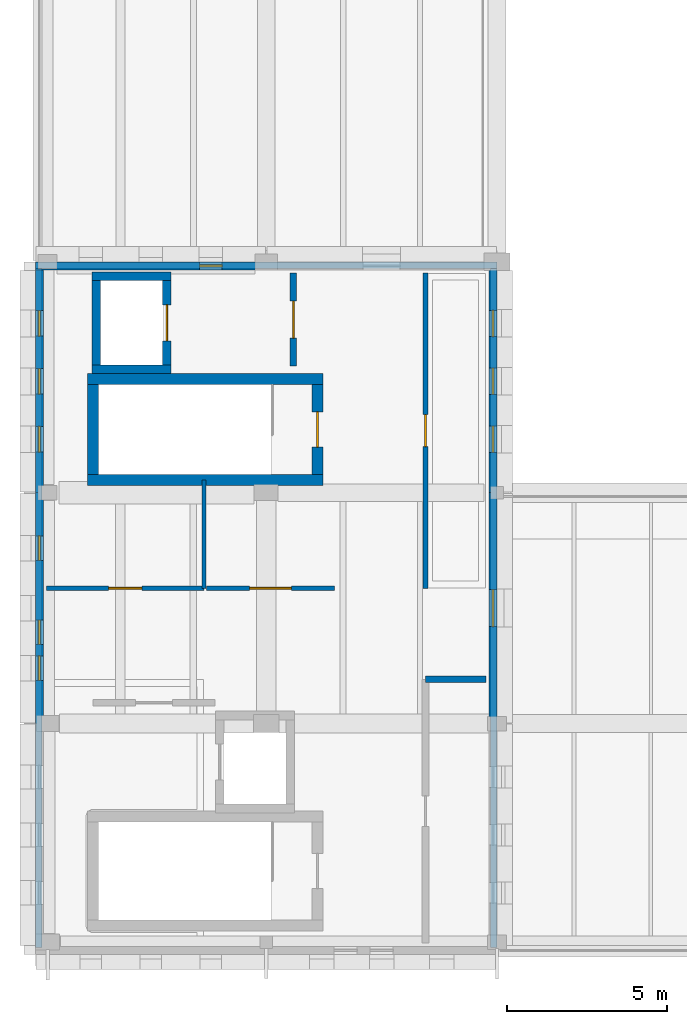
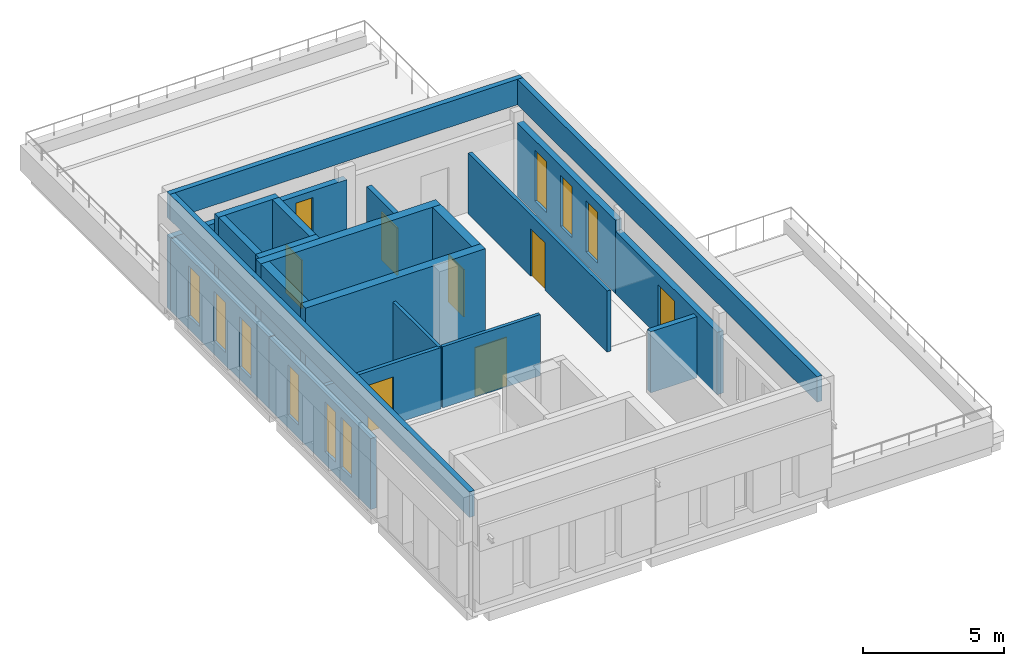
# One storey, part 3 of 6: 22 walls, 10 windows, 7 doors, 17 openings.
"""IFC4 building model written with IfcOpenShell, lengths in metres."""

from ifc_helpers import new_model, si_unit, direction, frame, frame_2d, origin, place, context, subcontext, project, spatial, rectangle, extrude, material, layer, layer_set, type_object, element, fill, save


model = new_model("IFC4")

# Units and contexts
model_context = context("Model", 3, precision=1e-05, world=origin(), true_north=direction((0.0, 1.0)))
body_context = subcontext(model_context, "Body", "Model", "MODEL_VIEW")
ifc_project = project(units=[si_unit("LENGTHUNIT", "METRE"), si_unit("AREAUNIT", "SQUARE_METRE"), si_unit("VOLUMEUNIT", "CUBIC_METRE"), si_unit("PLANEANGLEUNIT", "RADIAN"), si_unit("MASSUNIT", "GRAM", prefix="KILO")], contexts=[model_context])

# Site, building, storey
site_placement = place(None, origin())
site = spatial("IfcSite", under=ifc_project, at=site_placement, CompositionType="ELEMENT")
building_placement = place(site_placement, origin())
building = spatial("IfcBuilding", under=site, at=building_placement, Name="Vardoun Plaza Health Centre", CompositionType="ELEMENT")
storey_placement = place(building_placement, frame((0.0, 0.0, 25.050048828125)))
storey = spatial("IfcBuildingStorey", under=building, at=storey_placement, Name="L06", CompositionType="ELEMENT", Elevation=25.050048828125)

# Walls
ifc_material_1 = material(Name="Concrete C40/50", Category="concrete")
ifc_layer_1 = layer(ifc_material_1, 0.27001953125)
ifc_layer_set_1 = layer_set([ifc_layer_1], Name="Concrete C40/50")
wall_type_1 = type_object("IfcWallType", Name="SW-03", PredefinedType="SHEAR", material=ifc_layer_set_1)
wall_1_placement = place(storey_placement, frame((8.735107421875, 22.75, 0.0), z_axis=(0.0, 0.0, 1.0), x_axis=(-1.0, 0.0, 0.0)))
element("IfcWall", 1, at=wall_1_placement, inside=storey, type_object=wall_type_1, Name="Lift LF-02 L06 Shaft Wall S", PredefinedType="SHEAR", context=body_context, shape_type="SweptSolid", body=[
    extrude(rectangle(XDim=2.47021484375, YDim=0.27001953125, at=frame_2d((1.235107421875, 0.0))), origin(), (0.0, 0.0, 1.0), 3.619873046875),
])
wall_2_placement = place(storey_placement, frame((6.39990234375, 22.885009765625, 0.0), z_axis=(0.0, 0.0, 1.0), x_axis=(0.0, 1.0, 0.0)))
element("IfcWall", 2, at=wall_2_placement, inside=storey, type_object=wall_type_1, Name="Lift LF-02 L06 Shaft Wall W", PredefinedType="SHEAR", context=body_context, shape_type="SweptSolid", body=[
    extrude(rectangle(XDim=2.6298828125, YDim=0.27001953125, at=frame_2d((1.31494140625, 0.0))), origin(), (0.0, 0.0, 1.0), 3.619873046875),
])
wall_3_placement = place(storey_placement, frame((6.264892578125, 25.64990234375, 0.0), z_axis=(0.0, 0.0, 1.0), x_axis=(1.0, 0.0, 0.0)))
element("IfcWall", 3, at=wall_3_placement, inside=storey, type_object=wall_type_1, Name="Lift LF-02 L06 Shaft Wall N", PredefinedType="SHEAR", context=body_context, shape_type="SweptSolid", body=[
    extrude(rectangle(XDim=2.47021484375, YDim=0.27001953125, at=frame_2d((1.235107421875, 0.0))), origin(), (0.0, 0.0, 1.0), 3.619873046875),
])

# Wall, opening, door
wall_4_placement = place(storey_placement, frame((8.60009765625, 25.514892578125, 0.0), z_axis=(0.0, 0.0, 1.0), x_axis=(0.0, -1.0, 0.0)))
wall_4 = element("IfcWall", 4, at=wall_4_placement, inside=storey, type_object=wall_type_1, Name="Lift LF-02 L06 Shaft Wall E", PredefinedType="SHEAR", context=body_context, shape_type="SweptSolid", body=[
    extrude(rectangle(XDim=2.6298828125, YDim=0.27001953125, at=frame_2d((1.31494140625, 0.0))), origin(), (0.0, 0.0, 1.0), 3.619873046875),
])
opening_1_placement = place(wall_4_placement, frame((0.7548828125, 0.0, 0.0)))
opening_1 = element("IfcOpeningElement", 5, at=opening_1_placement, cuts=wall_4, Name="Opening LD-LF-02-L06", PredefinedType="OPENING", context=body_context, shape_type="SweptSolid", body=[
    extrude(rectangle(XDim=1.1201171875, YDim=2.10009765625, at=frame_2d((0.56005859375, 1.050048828125))), frame((0.0, 0.135009765625, 0.0), z_axis=(0.0, -1.0, 0.0), x_axis=(1.0, 0.0, 0.0)), (0.0, 0.0, 1.0), 0.27001953125),
])
ifc_material_2 = material(Name="Brushed Stainless Steel Grade 316L", Category="steel")
door_type_1 = type_object("IfcDoorType", Name="LD-01", OperationType="DOUBLE_DOOR_SLIDING", PredefinedType="DOOR", material=ifc_material_2)
door_1_placement = place(opening_1_placement, origin())
door_1 = element("IfcDoor", 6, at=door_1_placement, inside=storey, type_object=door_type_1, Name="Lift LF-02 L06 Sliding Landing Door", OperationType="DOUBLE_DOOR_SLIDING", OverallHeight=2.10009765625, OverallWidth=1.1201171875, PredefinedType="DOOR", context=body_context, shape_type="SweptSolid", body=[
    extrude(rectangle(XDim=1.1201171875, YDim=2.10009765625, at=frame_2d((0.56005859375, 1.050048828125))), frame((0.0, 0.02490234375, 0.0), z_axis=(0.0, -1.0, 0.0), x_axis=(1.0, 0.0, 0.0)), (0.0, 0.0, 1.0), 0.050048828125),
])
fill(opening_1, door_1)

# Walls
ifc_material_3 = material(Name="Concrete C40/50", Category="concrete")
ifc_layer_2 = layer(ifc_material_3, 0.35009765625)
ifc_layer_set_2 = layer_set([ifc_layer_2], Name="Concrete C40/50")
wall_type_2 = type_object("IfcWallType", Name="SW-02", PredefinedType="SHEAR", material=ifc_layer_set_2)
wall_5_placement = place(storey_placement, frame((13.47509765625, 19.300048828125, 0.0), z_axis=(0.0, 0.0, 1.0), x_axis=(-1.0, 0.0, 0.0)))
element("IfcWall", 7, at=wall_5_placement, inside=storey, type_object=wall_type_2, Name="Core C2 L06 Shear Wall S", PredefinedType="SHEAR", context=body_context, shape_type="SweptSolid", body=[
    extrude(rectangle(XDim=7.35009765625, YDim=0.35009765625, at=frame_2d((3.675048828125, 0.0))), origin(), (0.0, 0.0, 1.0), 3.619873046875),
])
wall_6_placement = place(storey_placement, frame((6.300048828125, 19.47509765625, 0.0), z_axis=(0.0, 0.0, 1.0), x_axis=(0.0, 1.0, 0.0)))
element("IfcWall", 8, at=wall_6_placement, inside=storey, type_object=wall_type_2, Name="Core C2 L06 Shear Wall W", PredefinedType="SHEAR", context=body_context, shape_type="SweptSolid", body=[
    extrude(rectangle(XDim=2.7998046875, YDim=0.35009765625, at=frame_2d((1.39990234375, 0.0))), origin(), (0.0, 0.0, 1.0), 3.619873046875),
])
wall_7_placement = place(storey_placement, frame((6.125, 22.449951171875, 0.0), z_axis=(0.0, 0.0, 1.0), x_axis=(1.0, 0.0, 0.0)))
element("IfcWall", 9, at=wall_7_placement, inside=storey, type_object=wall_type_2, Name="Core C2 L06 Shear Wall N", PredefinedType="SHEAR", context=body_context, shape_type="SweptSolid", body=[
    extrude(rectangle(XDim=7.35009765625, YDim=0.35009765625, at=frame_2d((3.675048828125, 0.0))), origin(), (0.0, 0.0, 1.0), 3.619873046875),
])

# Wall, opening, door
wall_8_placement = place(storey_placement, frame((13.300048828125, 22.27490234375, 0.0), z_axis=(0.0, 0.0, 1.0), x_axis=(0.0, -1.0, 0.0)))
wall_8 = element("IfcWall", 10, at=wall_8_placement, inside=storey, type_object=wall_type_2, Name="Core C2 L06 Shear Wall E", PredefinedType="SHEAR", context=body_context, shape_type="SweptSolid", body=[
    extrude(rectangle(XDim=2.7998046875, YDim=0.35009765625, at=frame_2d((1.39990234375, 0.0))), origin(), (0.0, 0.0, 1.0), 3.619873046875),
])
opening_2_placement = place(wall_8_placement, frame((0.85009765625, 0.0, 0.0)))
opening_2 = element("IfcOpeningElement", 11, at=opening_2_placement, cuts=wall_8, Name="Opening SD-C2-L06", PredefinedType="OPENING", context=body_context, shape_type="SweptSolid", body=[
    extrude(rectangle(XDim=1.10009765625, YDim=2.050048828125, at=frame_2d((0.550048828125, 1.02490234375))), frame((0.0, 0.175048828125, 0.0), z_axis=(0.0, -1.0, 0.0), x_axis=(1.0, 0.0, 0.0)), (0.0, 0.0, 1.0), 0.35009765625),
])
ifc_material_4 = material(Name="Brushed Stainless Steel Grade 316L", Category="steel")
door_type_2 = type_object("IfcDoorType", Name="FD-01", OperationType="NOTDEFINED", PredefinedType="DOOR", material=ifc_material_4)
door_2_placement = place(opening_2_placement, origin())
door_2 = element("IfcDoor", 12, at=door_2_placement, inside=storey, type_object=door_type_2, Name="Stair C2 L06 Fire Door", OperationType="SINGLE_SWING_LEFT", OverallHeight=2.050048828125, OverallWidth=1.10009765625, PredefinedType="DOOR", context=body_context, shape_type="SweptSolid", body=[
    extrude(rectangle(XDim=1.10009765625, YDim=2.050048828125, at=frame_2d((0.550048828125, 1.02490234375))), frame((0.0, 0.02490234375, 0.0), z_axis=(0.0, -1.0, 0.0), x_axis=(1.0, 0.0, 0.0)), (0.0, 0.0, 1.0), 0.050048828125),
])
fill(opening_2, door_2)

# Wall, opening, window
ifc_material_5 = material(Name="Pale Limestone Concrete C35/45", Category="masonry")
ifc_layer_3 = layer(ifc_material_5, 0.25)
ifc_layer_set_3 = layer_set([ifc_layer_3], Name="Pale Limestone Concrete C35/45")
wall_type_3 = type_object("IfcWallType", Name="EW-07", PredefinedType="STANDARD", material=ifc_layer_set_3)
wall_9_placement = place(storey_placement, frame((4.5, 25.97509765625, 0.0), z_axis=(0.0, 0.0, 1.0), x_axis=(1.0, 0.0, 0.0)))
wall_9 = element("IfcWall", 13, at=wall_9_placement, inside=storey, type_object=wall_type_3, Name="V2 L06 Exterior Wall EW-V2-212", PredefinedType="STANDARD", context=body_context, shape_type="SweptSolid", body=[
    extrude(rectangle(XDim=7.199951171875, YDim=0.25, at=frame_2d((3.60009765625, 0.0))), origin(), (0.0, 0.0, 1.0), 3.14501953125),
])
opening_3_placement = place(wall_9_placement, frame((5.1220703125, 0.0, 0.550048828125)))
opening_3 = element("IfcOpeningElement", 14, at=opening_3_placement, cuts=wall_9, Name="Opening W-04-004", PredefinedType="OPENING", context=body_context, shape_type="SweptSolid", body=[
    extrude(rectangle(XDim=0.699951171875, YDim=2.300048828125, at=frame_2d((0.35009765625, 1.14990234375))), frame((0.0, 0.125, 0.0), z_axis=(0.0, -1.0, 0.0), x_axis=(1.0, 0.0, 0.0)), (0.0, 0.0, 1.0), 0.25),
])
ifc_material_6 = material(Name="Aluminium Alloy EN AW-6063-T6 and Low-E Glass", Category="aluminium")
window_type_1 = type_object("IfcWindowType", Name="W-04", PartitioningType="SINGLE_PANEL", PredefinedType="WINDOW", material=ifc_material_6)
window_1_placement = place(opening_3_placement, origin())
window_1 = element("IfcWindow", 15, at=window_1_placement, inside=storey, type_object=window_type_1, Name="V2 L06 Deep-Punched Slot Window W-04-332", OverallHeight=2.300048828125, OverallWidth=0.699951171875, PartitioningType="SINGLE_PANEL", PredefinedType="WINDOW", context=body_context, shape_type="SweptSolid", body=[
    extrude(rectangle(XDim=0.699951171875, YDim=2.300048828125, at=frame_2d((0.35009765625, 1.14990234375))), frame((0.0, 0.030029296875, 0.0), z_axis=(0.0, -1.0, 0.0), x_axis=(1.0, 0.0, 0.0)), (0.0, 0.0, 1.0), 0.06005859375),
])
fill(opening_3, window_1)

# Wall, openings, windows
wall_10_placement = place(storey_placement, frame((18.77490234375, 25.85009765625, 0.0), z_axis=(0.0, 0.0, 1.0), x_axis=(0.0, -1.0, 0.0)))
wall_10 = element("IfcWall", 16, at=wall_10_placement, inside=storey, type_object=wall_type_3, Name="V2 L06 Exterior Wall EW-V2-214", PredefinedType="STANDARD", context=body_context, shape_type="SweptSolid", body=[
    extrude(rectangle(XDim=6.9501953125, YDim=0.25, at=frame_2d((3.47509765625, 0.0))), origin(), (0.0, 0.0, 1.0), 3.1650390625),
])
opening_4_placement = place(wall_10_placement, frame((1.258056640625, 0.0, 0.550048828125)))
opening_4 = element("IfcOpeningElement", 17, at=opening_4_placement, cuts=wall_10, Name="Opening W-07-010", PredefinedType="OPENING", context=body_context, shape_type="SweptSolid", body=[
    extrude(rectangle(XDim=0.820068359375, YDim=2.199951171875, at=frame_2d((0.41015625, 1.10009765625))), frame((0.0, 0.125, 0.0), z_axis=(0.0, -1.0, 0.0), x_axis=(1.0, 0.0, 0.0)), (0.0, 0.0, 1.0), 0.25),
])
opening_5_placement = place(wall_10_placement, frame((3.06494140625, 0.0, 0.550048828125)))
opening_5 = element("IfcOpeningElement", 18, at=opening_5_placement, cuts=wall_10, Name="Opening W-07-011", PredefinedType="OPENING", context=body_context, shape_type="SweptSolid", body=[
    extrude(rectangle(XDim=0.820068359375, YDim=2.199951171875, at=frame_2d((0.41015625, 1.10009765625))), frame((0.0, 0.125, 0.0), z_axis=(0.0, -1.0, 0.0), x_axis=(1.0, 0.0, 0.0)), (0.0, 0.0, 1.0), 0.25),
])
opening_6_placement = place(wall_10_placement, frame((4.8720703125, 0.0, 0.550048828125)))
opening_6 = element("IfcOpeningElement", 19, at=opening_6_placement, cuts=wall_10, Name="Opening W-07-012", PredefinedType="OPENING", context=body_context, shape_type="SweptSolid", body=[
    extrude(rectangle(XDim=0.820068359375, YDim=2.199951171875, at=frame_2d((0.41015625, 1.10009765625))), frame((0.0, 0.125, 0.0), z_axis=(0.0, -1.0, 0.0), x_axis=(1.0, 0.0, 0.0)), (0.0, 0.0, 1.0), 0.25),
])
ifc_material_7 = material(Name="Aluminium Alloy EN AW-6063-T6 and Low-E Glass", Category="aluminium")
window_type_2 = type_object("IfcWindowType", Name="W-07", PartitioningType="SINGLE_PANEL", PredefinedType="WINDOW", material=ifc_material_7)
window_2_placement = place(opening_4_placement, origin())
window_2 = element("IfcWindow", 20, at=window_2_placement, inside=storey, type_object=window_type_2, Name="V2 L06 Deep-Punched Slot Window W-07-333", OverallHeight=2.199951171875, OverallWidth=0.820068359375, PartitioningType="SINGLE_PANEL", PredefinedType="WINDOW", context=body_context, shape_type="SweptSolid", body=[
    extrude(rectangle(XDim=0.820068359375, YDim=2.199951171875, at=frame_2d((0.41015625, 1.10009765625))), frame((0.0, 0.030029296875, 0.0), z_axis=(0.0, -1.0, 0.0), x_axis=(1.0, 0.0, 0.0)), (0.0, 0.0, 1.0), 0.06005859375),
])
fill(opening_4, window_2)
window_3_placement = place(opening_5_placement, origin())
window_3 = element("IfcWindow", 21, at=window_3_placement, inside=storey, type_object=window_type_2, Name="V2 L06 Deep-Punched Slot Window W-07-334", OverallHeight=2.199951171875, OverallWidth=0.820068359375, PartitioningType="SINGLE_PANEL", PredefinedType="WINDOW", context=body_context, shape_type="SweptSolid", body=[
    extrude(rectangle(XDim=0.820068359375, YDim=2.199951171875, at=frame_2d((0.41015625, 1.10009765625))), frame((0.0, 0.030029296875, 0.0), z_axis=(0.0, -1.0, 0.0), x_axis=(1.0, 0.0, 0.0)), (0.0, 0.0, 1.0), 0.06005859375),
])
fill(opening_5, window_3)
window_4_placement = place(opening_6_placement, origin())
window_4 = element("IfcWindow", 22, at=window_4_placement, inside=storey, type_object=window_type_2, Name="V2 L06 Deep-Punched Slot Window W-07-335", OverallHeight=2.199951171875, OverallWidth=0.820068359375, PartitioningType="SINGLE_PANEL", PredefinedType="WINDOW", context=body_context, shape_type="SweptSolid", body=[
    extrude(rectangle(XDim=0.820068359375, YDim=2.199951171875, at=frame_2d((0.41015625, 1.10009765625))), frame((0.0, 0.030029296875, 0.0), z_axis=(0.0, -1.0, 0.0), x_axis=(1.0, 0.0, 0.0)), (0.0, 0.0, 1.0), 0.06005859375),
])
fill(opening_6, window_4)

# Wall, opening, door
wall_11_placement = place(storey_placement, frame((18.77490234375, 18.89990234375, 0.0), z_axis=(0.0, 0.0, 1.0), x_axis=(0.0, -1.0, 0.0)))
wall_11 = element("IfcWall", 23, at=wall_11_placement, inside=storey, type_object=wall_type_3, Name="V2 L06 Exterior Wall EW-V2-215", PredefinedType="STANDARD", context=body_context, shape_type="SweptSolid", body=[
    extrude(rectangle(XDim=7.199951171875, YDim=0.25, at=frame_2d((3.60009765625, 0.0))), origin(), (0.0, 0.0, 1.0), 2.695068359375),
])
opening_7_placement = place(wall_11_placement, frame((3.02490234375, 0.0, 0.18994140625)))
opening_7 = element("IfcOpeningElement", 24, at=opening_7_placement, cuts=wall_11, Name="Opening TD-V2-L06-2", PredefinedType="OPENING", context=body_context, shape_type="SweptSolid", body=[
    extrude(rectangle(XDim=1.14990234375, YDim=2.02001953125, at=frame_2d((0.574951171875, 1.010009765625))), frame((0.0, 0.125, 0.0), z_axis=(0.0, -1.0, 0.0), x_axis=(1.0, 0.0, 0.0)), (0.0, 0.0, 1.0), 0.25),
])
ifc_material_8 = material(Name="Aluminium Alloy EN AW-6063-T6 Terrace Door", Category="aluminium")
door_type_3 = type_object("IfcDoorType", Name="ED-04", OperationType="NOTDEFINED", PredefinedType="DOOR", material=ifc_material_8)
door_3_placement = place(opening_7_placement, origin())
door_3 = element("IfcDoor", 25, at=door_3_placement, inside=storey, type_object=door_type_3, Name="V2 L06 Roof-Garden Terrace Door 2", OperationType="SINGLE_SWING_LEFT", OverallHeight=2.02001953125, OverallWidth=1.14990234375, PredefinedType="DOOR", context=body_context, shape_type="SweptSolid", body=[
    extrude(rectangle(XDim=1.14990234375, YDim=2.02001953125, at=frame_2d((0.574951171875, 1.010009765625))), frame((0.0, 0.02490234375, 0.0), z_axis=(0.0, -1.0, 0.0), x_axis=(1.0, 0.0, 0.0)), (0.0, 0.0, 1.0), 0.050048828125),
])
fill(opening_7, door_3)

# Wall, openings, windows
wall_12_placement = place(storey_placement, frame((4.625, 11.699951171875, 0.0), z_axis=(0.0, 0.0, 1.0), x_axis=(0.0, 1.0, 0.0)))
wall_12 = element("IfcWall", 26, at=wall_12_placement, inside=storey, type_object=wall_type_3, Name="V2 L06 Exterior Wall EW-V2-220", PredefinedType="STANDARD", context=body_context, shape_type="SweptSolid", body=[
    extrude(rectangle(XDim=7.199951171875, YDim=0.25, at=frame_2d((3.60009765625, 0.0))), origin(), (0.0, 0.0, 1.0), 3.06494140625),
])
opening_8_placement = place(wall_12_placement, frame((1.347900390625, 0.0, 0.550048828125)))
opening_8 = element("IfcOpeningElement", 27, at=opening_8_placement, cuts=wall_12, Name="Opening W-15-001", PredefinedType="OPENING", context=body_context, shape_type="SweptSolid", body=[
    extrude(rectangle(XDim=0.760009765625, YDim=2.159912109375, at=frame_2d((0.3798828125, 1.080078125))), frame((0.0, 0.125, 0.0), z_axis=(0.0, -1.0, 0.0), x_axis=(1.0, 0.0, 0.0)), (0.0, 0.0, 1.0), 0.25),
])
opening_9_placement = place(wall_12_placement, frame((2.469970703125, 0.0, 0.550048828125)))
opening_9 = element("IfcOpeningElement", 28, at=opening_9_placement, cuts=wall_12, Name="Opening W-15-002", PredefinedType="OPENING", context=body_context, shape_type="SweptSolid", body=[
    extrude(rectangle(XDim=0.760009765625, YDim=2.159912109375, at=frame_2d((0.3798828125, 1.080078125))), frame((0.0, 0.125, 0.0), z_axis=(0.0, -1.0, 0.0), x_axis=(1.0, 0.0, 0.0)), (0.0, 0.0, 1.0), 0.25),
])
opening_10_placement = place(wall_12_placement, frame((5.092041015625, 0.0, 0.550048828125)))
opening_10 = element("IfcOpeningElement", 29, at=opening_10_placement, cuts=wall_12, Name="Opening W-15-003", PredefinedType="OPENING", context=body_context, shape_type="SweptSolid", body=[
    extrude(rectangle(XDim=0.760009765625, YDim=2.159912109375, at=frame_2d((0.3798828125, 1.080078125))), frame((0.0, 0.125, 0.0), z_axis=(0.0, -1.0, 0.0), x_axis=(1.0, 0.0, 0.0)), (0.0, 0.0, 1.0), 0.25),
])
ifc_material_9 = material(Name="Aluminium Alloy EN AW-6063-T6 and Low-E Glass", Category="aluminium")
window_type_3 = type_object("IfcWindowType", Name="W-15", PartitioningType="SINGLE_PANEL", PredefinedType="WINDOW", material=ifc_material_9)
window_5_placement = place(opening_8_placement, origin())
window_5 = element("IfcWindow", 30, at=window_5_placement, inside=storey, type_object=window_type_3, Name="V2 L06 Deep-Punched Slot Window W-15-348", OverallHeight=2.159912109375, OverallWidth=0.760009765625, PartitioningType="SINGLE_PANEL", PredefinedType="WINDOW", context=body_context, shape_type="SweptSolid", body=[
    extrude(rectangle(XDim=0.760009765625, YDim=2.159912109375, at=frame_2d((0.3798828125, 1.080078125))), frame((0.0, 0.030029296875, 0.0), z_axis=(0.0, -1.0, 0.0), x_axis=(1.0, 0.0, 0.0)), (0.0, 0.0, 1.0), 0.06005859375),
])
fill(opening_8, window_5)
window_6_placement = place(opening_9_placement, origin())
window_6 = element("IfcWindow", 31, at=window_6_placement, inside=storey, type_object=window_type_3, Name="V2 L06 Deep-Punched Slot Window W-15-349", OverallHeight=2.159912109375, OverallWidth=0.760009765625, PartitioningType="SINGLE_PANEL", PredefinedType="WINDOW", context=body_context, shape_type="SweptSolid", body=[
    extrude(rectangle(XDim=0.760009765625, YDim=2.159912109375, at=frame_2d((0.3798828125, 1.080078125))), frame((0.0, 0.030029296875, 0.0), z_axis=(0.0, -1.0, 0.0), x_axis=(1.0, 0.0, 0.0)), (0.0, 0.0, 1.0), 0.06005859375),
])
fill(opening_9, window_6)
window_7_placement = place(opening_10_placement, origin())
window_7 = element("IfcWindow", 32, at=window_7_placement, inside=storey, type_object=window_type_3, Name="V2 L06 Deep-Punched Slot Window W-15-350", OverallHeight=2.159912109375, OverallWidth=0.760009765625, PartitioningType="SINGLE_PANEL", PredefinedType="WINDOW", context=body_context, shape_type="SweptSolid", body=[
    extrude(rectangle(XDim=0.760009765625, YDim=2.159912109375, at=frame_2d((0.3798828125, 1.080078125))), frame((0.0, 0.030029296875, 0.0), z_axis=(0.0, -1.0, 0.0), x_axis=(1.0, 0.0, 0.0)), (0.0, 0.0, 1.0), 0.06005859375),
])
fill(opening_10, window_7)

wall_13_placement = place(storey_placement, frame((4.625, 18.89990234375, 0.0), z_axis=(0.0, 0.0, 1.0), x_axis=(0.0, 1.0, 0.0)))
wall_13 = element("IfcWall", 33, at=wall_13_placement, inside=storey, type_object=wall_type_3, Name="V2 L06 Exterior Wall EW-V2-221", PredefinedType="STANDARD", context=body_context, shape_type="SweptSolid", body=[
    extrude(rectangle(XDim=6.9501953125, YDim=0.25, at=frame_2d((3.47509765625, 0.0))), origin(), (0.0, 0.0, 1.0), 3.094970703125),
])
opening_11_placement = place(wall_13_placement, frame((1.26806640625, 0.0, 0.550048828125)))
opening_11 = element("IfcOpeningElement", 34, at=opening_11_placement, cuts=wall_13, Name="Opening W-16-004", PredefinedType="OPENING", context=body_context, shape_type="SweptSolid", body=[
    extrude(rectangle(XDim=0.800048828125, YDim=2.159912109375, at=frame_2d((0.39990234375, 1.080078125))), frame((0.0, 0.125, 0.0), z_axis=(0.0, -1.0, 0.0), x_axis=(1.0, 0.0, 0.0)), (0.0, 0.0, 1.0), 0.25),
])
opening_12_placement = place(wall_13_placement, frame((3.074951171875, 0.0, 0.550048828125)))
opening_12 = element("IfcOpeningElement", 35, at=opening_12_placement, cuts=wall_13, Name="Opening W-16-005", PredefinedType="OPENING", context=body_context, shape_type="SweptSolid", body=[
    extrude(rectangle(XDim=0.800048828125, YDim=2.159912109375, at=frame_2d((0.39990234375, 1.080078125))), frame((0.0, 0.125, 0.0), z_axis=(0.0, -1.0, 0.0), x_axis=(1.0, 0.0, 0.0)), (0.0, 0.0, 1.0), 0.25),
])
opening_13_placement = place(wall_13_placement, frame((4.882080078125, 0.0, 0.550048828125)))
opening_13 = element("IfcOpeningElement", 36, at=opening_13_placement, cuts=wall_13, Name="Opening W-16-006", PredefinedType="OPENING", context=body_context, shape_type="SweptSolid", body=[
    extrude(rectangle(XDim=0.800048828125, YDim=2.159912109375, at=frame_2d((0.39990234375, 1.080078125))), frame((0.0, 0.125, 0.0), z_axis=(0.0, -1.0, 0.0), x_axis=(1.0, 0.0, 0.0)), (0.0, 0.0, 1.0), 0.25),
])
ifc_material_10 = material(Name="Aluminium Alloy EN AW-6063-T6 and Low-E Glass", Category="aluminium")
window_type_4 = type_object("IfcWindowType", Name="W-16", PartitioningType="SINGLE_PANEL", PredefinedType="WINDOW", material=ifc_material_10)
window_8_placement = place(opening_11_placement, origin())
window_8 = element("IfcWindow", 37, at=window_8_placement, inside=storey, type_object=window_type_4, Name="V2 L06 Deep-Punched Slot Window W-16-351", OverallHeight=2.159912109375, OverallWidth=0.800048828125, PartitioningType="SINGLE_PANEL", PredefinedType="WINDOW", context=body_context, shape_type="SweptSolid", body=[
    extrude(rectangle(XDim=0.800048828125, YDim=2.159912109375, at=frame_2d((0.39990234375, 1.080078125))), frame((0.0, 0.030029296875, 0.0), z_axis=(0.0, -1.0, 0.0), x_axis=(1.0, 0.0, 0.0)), (0.0, 0.0, 1.0), 0.06005859375),
])
fill(opening_11, window_8)
window_9_placement = place(opening_12_placement, origin())
window_9 = element("IfcWindow", 38, at=window_9_placement, inside=storey, type_object=window_type_4, Name="V2 L06 Deep-Punched Slot Window W-16-352", OverallHeight=2.159912109375, OverallWidth=0.800048828125, PartitioningType="SINGLE_PANEL", PredefinedType="WINDOW", context=body_context, shape_type="SweptSolid", body=[
    extrude(rectangle(XDim=0.800048828125, YDim=2.159912109375, at=frame_2d((0.39990234375, 1.080078125))), frame((0.0, 0.030029296875, 0.0), z_axis=(0.0, -1.0, 0.0), x_axis=(1.0, 0.0, 0.0)), (0.0, 0.0, 1.0), 0.06005859375),
])
fill(opening_12, window_9)
window_10_placement = place(opening_13_placement, origin())
window_10 = element("IfcWindow", 39, at=window_10_placement, inside=storey, type_object=window_type_4, Name="V2 L06 Deep-Punched Slot Window W-16-353", OverallHeight=2.159912109375, OverallWidth=0.800048828125, PartitioningType="SINGLE_PANEL", PredefinedType="WINDOW", context=body_context, shape_type="SweptSolid", body=[
    extrude(rectangle(XDim=0.800048828125, YDim=2.159912109375, at=frame_2d((0.39990234375, 1.080078125))), frame((0.0, 0.030029296875, 0.0), z_axis=(0.0, -1.0, 0.0), x_axis=(1.0, 0.0, 0.0)), (0.0, 0.0, 1.0), 0.06005859375),
])
fill(opening_13, window_10)

# Walls
ifc_material_11 = material(Name="Pale Limestone Concrete C35/45", Category="masonry")
ifc_layer_4 = layer(ifc_material_11, 0.2099609375)
ifc_layer_set_4 = layer_set([ifc_layer_4], Name="Pale Limestone Concrete C35/45")
wall_type_4 = type_object("IfcWallType", Name="PW-01", PredefinedType="PARAPET", material=ifc_layer_set_4)
wall_14_placement = place(storey_placement, frame((4.5, 25.9951171875, 3.89990234375), z_axis=(0.0, 0.0, 1.0), x_axis=(1.0, 0.0, 0.0)))
element("IfcWall", 40, at=wall_14_placement, inside=storey, type_object=wall_type_4, Name="V2 Crown Parapet Wall 1", PredefinedType="PARAPET", context=body_context, shape_type="SweptSolid", body=[
    extrude(rectangle(XDim=14.39990234375, YDim=0.2099609375, at=frame_2d((7.199951171875, 0.0))), origin(), (0.0, 0.0, 1.0), 1.10009765625),
])
for number, where, z_axis, x_axis, name in (
    (41, (18.794921875, 25.889892578125, 3.89990234375), (0.0, 0.0, 1.0), (0.0, -1.0, 0.0), "V2 Crown Parapet Wall 2"),
    (42, (4.60498046875, 4.7099609375, 3.89990234375), (0.0, 0.0, 1.0), (0.0, 1.0, 0.0), "V2 Crown Parapet Wall 4"),
):
    element("IfcWall", number, at=place(storey_placement, frame(where, z_axis=z_axis, x_axis=x_axis)), inside=storey, type_object=wall_type_4, Name=name, PredefinedType="PARAPET", context=body_context, shape_type="SweptSolid", body=[
        extrude(rectangle(XDim=21.179931640625, YDim=0.2099609375, at=frame_2d((10.58984375, 0.0))), origin(), (0.0, 0.0, 1.0), 1.10009765625),
    ])

# Wall, opening, door
ifc_material_12 = material(Name="Acoustic Gypsum Twin-Stud", Category="steel")
ifc_layer_5 = layer(ifc_material_12, 0.14990234375)
ifc_layer_set_5 = layer_set([ifc_layer_5], Name="Acoustic Gypsum Twin-Stud")
wall_type_5 = type_object("IfcWallType", Name="IW-04", PredefinedType="PARTITIONING", material=ifc_layer_set_5)
wall_15_placement = place(storey_placement, frame((9.760009765625, 15.919921875, 0.0), z_axis=(0.0, 0.0, 1.0), x_axis=(-1.0, 0.0, 0.0)))
wall_15 = element("IfcWall", 43, at=wall_15_placement, inside=storey, type_object=wall_type_5, Name="Public Health Epidemiology Consulting Partition Wall", PredefinedType="PARTITIONING", context=body_context, shape_type="SweptSolid", body=[
    extrude(rectangle(XDim=4.909912109375, YDim=0.14990234375, at=frame_2d((2.455078125, 0.0))), origin(), (0.0, 0.0, 1.0), 2.639892578125),
])
opening_14_placement = place(wall_15_placement, frame((1.93505859375, 0.0, 0.0)))
opening_14 = element("IfcOpeningElement", 44, at=opening_14_placement, cuts=wall_15, Name="Opening D-L06-068", PredefinedType="OPENING", context=body_context, shape_type="SweptSolid", body=[
    extrude(rectangle(XDim=1.0400390625, YDim=2.050048828125, at=frame_2d((0.52001953125, 1.02490234375))), frame((0.0, 0.074951171875, 0.0), z_axis=(0.0, -1.0, 0.0), x_axis=(1.0, 0.0, 0.0)), (0.0, 0.0, 1.0), 0.14990234375),
])
ifc_material_13 = material(Name="Antimicrobial Acoustic Timber and Steel S275JR", Category="steel")
door_type_4 = type_object("IfcDoorType", Name="CD-04", OperationType="NOTDEFINED", PredefinedType="DOOR", material=ifc_material_13)
door_4_placement = place(opening_14_placement, origin())
door_4 = element("IfcDoor", 45, at=door_4_placement, inside=storey, type_object=door_type_4, Name="Public Health Epidemiology Consulting Door D-L06-068", OperationType="SINGLE_SWING_RIGHT", OverallHeight=2.050048828125, OverallWidth=1.0400390625, PredefinedType="DOOR", context=body_context, shape_type="SweptSolid", body=[
    extrude(rectangle(XDim=1.0400390625, YDim=2.050048828125, at=frame_2d((0.52001953125, 1.02490234375))), frame((0.0, 0.02490234375, 0.0), z_axis=(0.0, -1.0, 0.0), x_axis=(1.0, 0.0, 0.0)), (0.0, 0.0, 1.0), 0.050048828125),
])
fill(opening_14, door_4)

wall_16_placement = place(storey_placement, frame((16.669921875, 15.919921875, 0.0), z_axis=(0.0, 0.0, 1.0), x_axis=(0.0, 1.0, 0.0)))
wall_16 = element("IfcWall", 46, at=wall_16_placement, inside=storey, type_object=wall_type_5, Name="Clinical Staff On-Call Lounge Partition Wall", PredefinedType="PARTITIONING", context=body_context, shape_type="SweptSolid", body=[
    extrude(rectangle(XDim=9.830078125, YDim=0.14990234375, at=frame_2d((4.9150390625, 0.0))), origin(), (0.0, 0.0, 1.0), 2.639892578125),
])
opening_15_placement = place(wall_16_placement, frame((4.4150390625, 0.0, 0.0)))
opening_15 = element("IfcOpeningElement", 47, at=opening_15_placement, cuts=wall_16, Name="Opening D-L06-070", PredefinedType="OPENING", context=body_context, shape_type="SweptSolid", body=[
    extrude(rectangle(XDim=1.0, YDim=2.050048828125, at=frame_2d((0.5, 1.02490234375))), frame((0.0, 0.074951171875, 0.0), z_axis=(0.0, -1.0, 0.0), x_axis=(1.0, 0.0, 0.0)), (0.0, 0.0, 1.0), 0.14990234375),
])
ifc_material_14 = material(Name="Antimicrobial Acoustic Timber and Steel S275JR", Category="steel")
door_type_5 = type_object("IfcDoorType", Name="CD-03", OperationType="NOTDEFINED", PredefinedType="DOOR", material=ifc_material_14)
door_5_placement = place(opening_15_placement, origin())
door_5 = element("IfcDoor", 48, at=door_5_placement, inside=storey, type_object=door_type_5, Name="Clinical Staff On-Call Lounge Door D-L06-070", OperationType="SINGLE_SWING_RIGHT", OverallHeight=2.050048828125, OverallWidth=1.0, PredefinedType="DOOR", context=body_context, shape_type="SweptSolid", body=[
    extrude(rectangle(XDim=1.0, YDim=2.050048828125, at=frame_2d((0.5, 1.02490234375))), frame((0.0, 0.02490234375, 0.0), z_axis=(0.0, -1.0, 0.0), x_axis=(1.0, 0.0, 0.0)), (0.0, 0.0, 1.0), 0.050048828125),
])
fill(opening_15, door_5)

# Wall
ifc_material_15 = material(Name="Standard Clinical Sub-Partition", Category="steel")
ifc_layer_6 = layer(ifc_material_15, 0.125)
ifc_layer_set_6 = layer_set([ifc_layer_6], Name="Standard Clinical Sub-Partition")
wall_type_6 = type_object("IfcWallType", Name="IW-11", PredefinedType="PARTITIONING", material=ifc_layer_set_6)
wall_17_placement = place(storey_placement, frame((9.760009765625, 19.300048828125, 0.0), z_axis=(0.0, 0.0, 1.0), x_axis=(0.0, -1.0, 0.0)))
element("IfcWall", 49, at=wall_17_placement, inside=storey, type_object=wall_type_6, Name="Public Health Epidemiology Consulting Enclosure Partition", PredefinedType="PARTITIONING", context=body_context, shape_type="SweptSolid", body=[
    extrude(rectangle(XDim=3.380126953125, YDim=0.125, at=frame_2d((1.68994140625, 0.0))), origin(), (0.0, 0.0, 1.0), 2.639892578125),
])

# Wall, opening, door
ifc_material_16 = material(Name="Concrete C35/45", Category="concrete")
ifc_layer_7 = layer(ifc_material_16, 0.199951171875)
ifc_layer_set_7 = layer_set([ifc_layer_7], Name="Concrete C35/45")
wall_type_7 = type_object("IfcWallType", Name="IW-01", PredefinedType="SOLIDWALL", material=ifc_layer_set_7)
wall_18_placement = place(storey_placement, frame((12.550048828125, 25.75, 0.0), z_axis=(0.0, 0.0, 1.0), x_axis=(0.0, -1.0, 0.0)))
wall_18 = element("IfcWall", 50, at=wall_18_placement, inside=storey, type_object=wall_type_7, Name="Firefighting Lobby C2 L06 Wall", PredefinedType="SOLIDWALL", context=body_context, shape_type="SweptSolid", body=[
    extrude(rectangle(XDim=2.89990234375, YDim=0.199951171875, at=frame_2d((1.449951171875, 0.0))), origin(), (0.0, 0.0, 1.0), 2.639892578125),
])
opening_16_placement = place(wall_18_placement, frame((0.875, 0.0, 0.0)))
opening_16 = element("IfcOpeningElement", 51, at=opening_16_placement, cuts=wall_18, Name="Opening FD-FF-C2-L06", PredefinedType="OPENING", context=body_context, shape_type="SweptSolid", body=[
    extrude(rectangle(XDim=1.14990234375, YDim=2.050048828125, at=frame_2d((0.574951171875, 1.02490234375))), frame((0.0, 0.10009765625, 0.0), z_axis=(0.0, -1.0, 0.0), x_axis=(1.0, 0.0, 0.0)), (0.0, 0.0, 1.0), 0.199951171875),
])
ifc_material_17 = material(Name="Antimicrobial Acoustic Timber and Steel S275JR", Category="steel")
door_type_6 = type_object("IfcDoorType", Name="FD-02", OperationType="NOTDEFINED", PredefinedType="DOOR", material=ifc_material_17)
door_6_placement = place(opening_16_placement, origin())
door_6 = element("IfcDoor", 52, at=door_6_placement, inside=storey, type_object=door_type_6, Name="Firefighting Lobby C2 L06 Fire Door", OperationType="SINGLE_SWING_RIGHT", OverallHeight=2.050048828125, OverallWidth=1.14990234375, PredefinedType="DOOR", context=body_context, shape_type="SweptSolid", body=[
    extrude(rectangle(XDim=1.14990234375, YDim=2.050048828125, at=frame_2d((0.574951171875, 1.02490234375))), frame((0.0, 0.02490234375, 0.0), z_axis=(0.0, -1.0, 0.0), x_axis=(1.0, 0.0, 0.0)), (0.0, 0.0, 1.0), 0.050048828125),
])
fill(opening_16, door_6)

ifc_material_18 = material(Name="Acoustic Demountable Seminar Wall", Category="steel")
ifc_layer_8 = layer(ifc_material_18, 0.135009765625)
ifc_layer_set_8 = layer_set([ifc_layer_8], Name="Acoustic Demountable Seminar Wall")
wall_type_8 = type_object("IfcWallType", Name="IW-07", PredefinedType="MOVABLE", material=ifc_layer_set_8)
wall_19_placement = place(storey_placement, frame((13.830078125, 15.919921875, 0.0), z_axis=(0.0, 0.0, 1.0), x_axis=(-1.0, 0.0, 0.0)))
wall_19 = element("IfcWall", 53, at=wall_19_placement, inside=storey, type_object=wall_type_8, Name="Multidisciplinary Case Conference Room Partition Wall", PredefinedType="MOVABLE", context=body_context, shape_type="SweptSolid", body=[
    extrude(rectangle(XDim=3.989990234375, YDim=0.135009765625, at=frame_2d((1.9951171875, 0.0))), origin(), (0.0, 0.0, 1.0), 2.639892578125),
])
opening_17_placement = place(wall_19_placement, frame((1.344970703125, 0.0, 0.0)))
opening_17 = element("IfcOpeningElement", 54, at=opening_17_placement, cuts=wall_19, Name="Opening D-L06-069", PredefinedType="OPENING", context=body_context, shape_type="SweptSolid", body=[
    extrude(rectangle(XDim=1.300048828125, YDim=2.10009765625, at=frame_2d((0.64990234375, 1.050048828125))), frame((0.0, 0.0673828125, 0.0), z_axis=(0.0, -1.0, 0.0), x_axis=(1.0, 0.0, 0.0)), (0.0, 0.0, 1.0), 0.135009765625),
])
ifc_material_19 = material(Name="Antimicrobial Acoustic Timber and Steel S275JR", Category="steel")
door_type_7 = type_object("IfcDoorType", Name="CD-09", OperationType="NOTDEFINED", PredefinedType="DOOR", material=ifc_material_19)
door_7_placement = place(opening_17_placement, origin())
door_7 = element("IfcDoor", 55, at=door_7_placement, inside=storey, type_object=door_type_7, Name="Multidisciplinary Case Conference Room Door D-L06-069", OperationType="SINGLE_SWING_LEFT", OverallHeight=2.10009765625, OverallWidth=1.300048828125, PredefinedType="DOOR", context=body_context, shape_type="SweptSolid", body=[
    extrude(rectangle(XDim=1.300048828125, YDim=2.10009765625, at=frame_2d((0.64990234375, 1.050048828125))), frame((0.0, 0.02490234375, 0.0), z_axis=(0.0, -1.0, 0.0), x_axis=(1.0, 0.0, 0.0)), (0.0, 0.0, 1.0), 0.050048828125),
])
fill(opening_17, door_7)

# Wall
ifc_material_20 = material(Name="Moisture-Resistant Plumbing Chase", Category="steel")
ifc_layer_9 = layer(ifc_material_20, 0.215087890625)
ifc_layer_set_9 = layer_set([ifc_layer_9], Name="Moisture-Resistant Plumbing Chase")
wall_type_9 = type_object("IfcWallType", Name="IW-06", PredefinedType="PLUMBINGWALL", material=ifc_layer_set_9)
wall_20_placement = place(storey_placement, frame((16.669921875, 13.080078125, 0.0), z_axis=(0.0, 0.0, 1.0), x_axis=(1.0, 0.0, 0.0)))
element("IfcWall", 56, at=wall_20_placement, inside=storey, type_object=wall_type_9, Name="Accessible WC L06-V2 Enclosure Partition", PredefinedType="PLUMBINGWALL", context=body_context, shape_type="SweptSolid", body=[
    extrude(rectangle(XDim=1.880126953125, YDim=0.215087890625, at=frame_2d((0.93994140625, 0.0))), origin(), (0.0, 0.0, 1.0), 2.639892578125),
])

save(model, "model.ifc")
